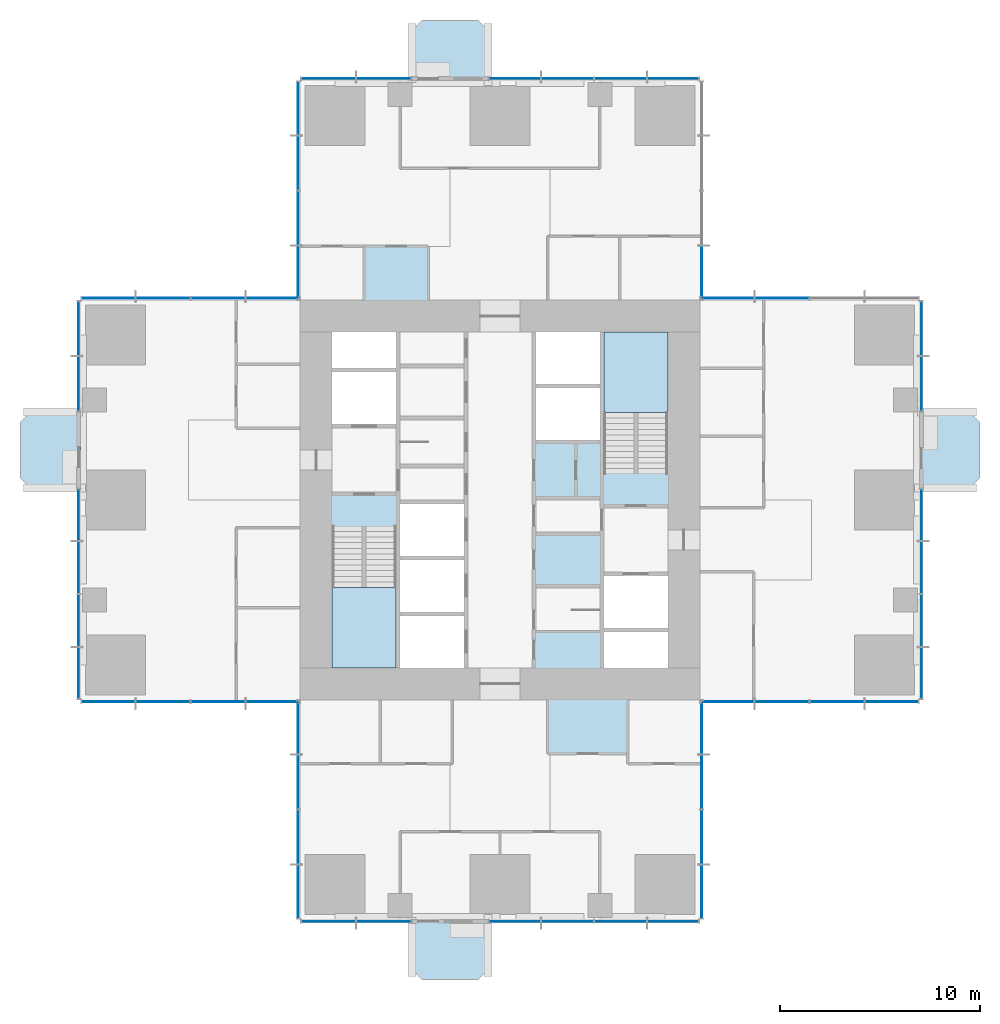
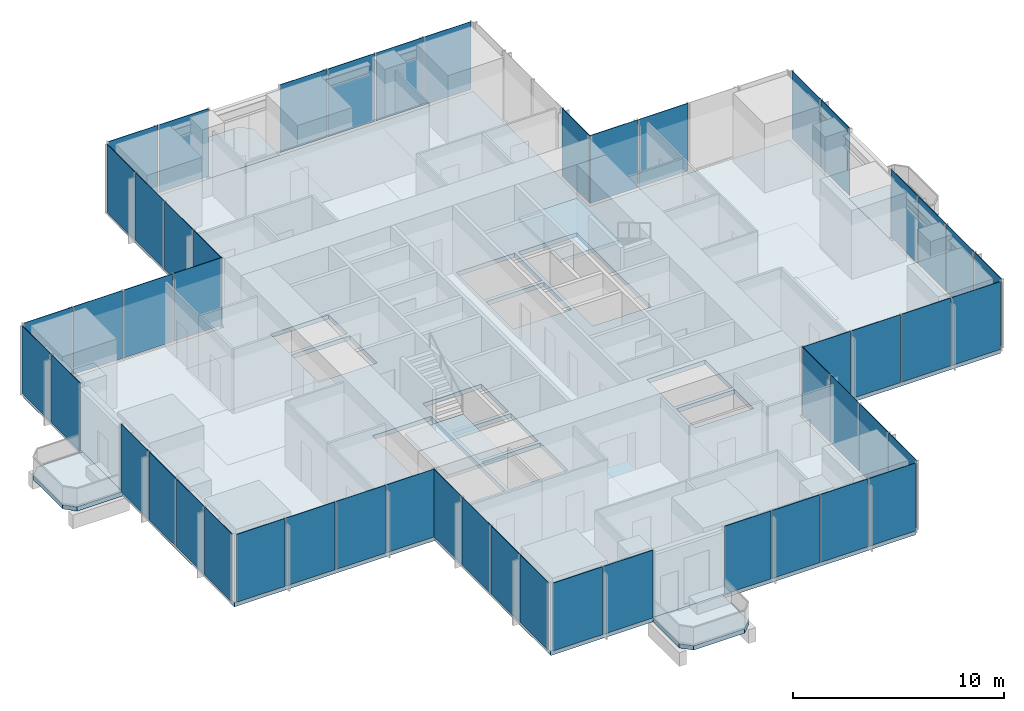
# One storey, part 7 of 13: 51 plates, 7 slabs, 18 elements without a shape of their own.
"""IFC4 building model written with IfcOpenShell, lengths in metres."""

import ifcopenshell
import ifcopenshell.guid

model = None  # the IFC model being written
_history = None  # IfcOwnerHistory: only IFC2X3 demands one
_inside = {}  # id of a spatial element -> (the spatial element, [elements in it])
_under = {}  # id of a project, library or spatial element -> (it, [spatial elements below it])
_declared = {}  # id of a project -> (the project, [libraries it declares])
_typed = {}  # id of a type object -> (the type object, [elements of that type])
_made_of = {}  # id of a material, layer set ... -> (it, [elements and type objects made of it])


def new_model(schema):
    """Start an empty IFC model of exactly this schema.

    Asked for "IFC4X3", IfcOpenShell would pick the latest addendum, in which some entities
    have other attributes; the version numbers below select the first issue.
    IFC2X3 requires an IfcOwnerHistory on every rooted entity: one is made here for all.
    """
    global model, _history
    if schema == "IFC4X3":
        model = ifcopenshell.file(schema_version=(4, 3, 0, 0))
    else:
        model = ifcopenshell.file(schema=schema)
    _inside.clear()
    _under.clear()
    _declared.clear()
    _typed.clear()
    _made_of.clear()
    _history = None
    if model.schema == "IFC2X3":
        org = make("IfcOrganization", Name="unknown")
        user = make(
            "IfcPersonAndOrganization",
            ThePerson=make("IfcPerson", FamilyName="unknown"),
            TheOrganization=org,
        )
        app = make(
            "IfcApplication",
            ApplicationDeveloper=org,
            Version="unknown",
            ApplicationFullName="unknown",
            ApplicationIdentifier="unknown",
        )
        _history = make(
            "IfcOwnerHistory",
            OwningUser=user,
            OwningApplication=app,
            ChangeAction="ADDED",
            CreationDate=0,
        )
    return model


def make(cls, **values):
    """One entity of the class cls with the attributes given. An attribute that is None is left unset."""
    return model.create_entity(
        cls, **{name: value for name, value in values.items() if value is not None}
    )


def rooted(cls, **values):
    """An entity with a GlobalId (a new one), such as an element, a storey or a relation."""
    return make(cls, GlobalId=ifcopenshell.guid.new(), OwnerHistory=_history, **values)


def si_unit(unit_type, name, prefix=None):
    """IfcSIUnit, for example si_unit("LENGTHUNIT", "METRE", prefix="MILLI")."""
    return make("IfcSIUnit", UnitType=unit_type, Prefix=prefix, Name=name)


def assignment(units):
    """IfcUnitAssignment: the units of a project."""
    return None if units is None else make("IfcUnitAssignment", Units=units)


def point(xyz):
    """IfcCartesianPoint."""
    return None if xyz is None else make("IfcCartesianPoint", Coordinates=xyz)


def direction(xyz):
    """IfcDirection."""
    return None if xyz is None else make("IfcDirection", DirectionRatios=xyz)


def frame(location, z_axis=None, x_axis=None):
    """IfcAxis2Placement3D, a coordinate frame: its origin and axes. An axis left out is left unset."""
    return make(
        "IfcAxis2Placement3D",
        Location=point(location),
        Axis=direction(z_axis),
        RefDirection=direction(x_axis),
    )


def frame_2d(location, x_axis=None):
    """IfcAxis2Placement2D, a coordinate frame in the plane: its origin and x axis."""
    return make(
        "IfcAxis2Placement2D", Location=point(location), RefDirection=direction(x_axis)
    )


def origin():
    """The frame at (0, 0, 0) with its axes left unset."""
    return frame((0.0, 0.0, 0.0))


def origin_2d():
    """The frame at (0, 0) in the plane with its x axis left unset."""
    return frame_2d((0.0, 0.0))


def place(relative_to, where):
    """IfcLocalPlacement: puts the frame where relative to a parent placement (None: the world)."""
    return make(
        "IfcLocalPlacement", PlacementRelTo=relative_to, RelativePlacement=where
    )


def context(
    kind, dimensions, precision=None, world=None, true_north=None, identifier=None
):
    """IfcGeometricRepresentationContext, for example the 3D "Model" context."""
    return make(
        "IfcGeometricRepresentationContext",
        ContextIdentifier=identifier,
        ContextType=kind,
        CoordinateSpaceDimension=dimensions,
        Precision=precision,
        WorldCoordinateSystem=world,
        TrueNorth=true_north,
    )


def subcontext(parent, identifier, kind, view, scale=None):
    """IfcGeometricRepresentationSubContext, for example "Body" below "Model"."""
    return make(
        "IfcGeometricRepresentationSubContext",
        ContextIdentifier=identifier,
        ContextType=kind,
        ParentContext=parent,
        TargetScale=scale,
        TargetView=view,
    )


def project(units=None, contexts=None):
    """IfcProject with its units and contexts."""
    return rooted(
        "IfcProject",
        Name="project",
        RepresentationContexts=contexts,
        UnitsInContext=assignment(units),
    )


def spatial(cls, under=None, at=None, **own):
    """A site, building, storey or space (cls), placed at a placement, below another one or the project."""
    s = rooted(cls, ObjectPlacement=at, **own)
    if under is not None:
        _under.setdefault(under.id(), (under, []))[1].append(s)
    return s


def polyline(points):
    """IfcPolyline through the points."""
    return make("IfcPolyline", Points=[point(p) for p in points])


def profile(cls, at=None, kind="AREA", **sizes):
    """A parametric profile (cls). Its sizes go by their IFC names, for example OverallWidth=200.0."""
    return make(cls, ProfileType=kind, Position=at, **sizes)


def rectangle(**sizes):
    """IfcRectangleProfileDef."""
    return profile("IfcRectangleProfileDef", **sizes)


def outline(outer, holes=None, kind="AREA"):
    """IfcArbitraryClosedProfileDef: a profile drawn as a closed curve; with holes, ...WithVoids."""
    if holes is None:
        return make("IfcArbitraryClosedProfileDef", ProfileType=kind, OuterCurve=outer)
    return make(
        "IfcArbitraryProfileDefWithVoids",
        ProfileType=kind,
        OuterCurve=outer,
        InnerCurves=holes,
    )


def extrude(swept, where, along, depth):
    """IfcExtrudedAreaSolid: the profile swept, set in the frame where, extruded along a direction by depth."""
    return make(
        "IfcExtrudedAreaSolid",
        SweptArea=swept,
        Position=where,
        ExtrudedDirection=direction(along),
        Depth=depth,
    )


def shape(context_of_items, identifier, shape_type, items):
    """IfcShapeRepresentation: the items that make up one representation, for example the "Body"."""
    return make(
        "IfcShapeRepresentation",
        ContextOfItems=context_of_items,
        RepresentationIdentifier=identifier,
        RepresentationType=shape_type,
        Items=items,
    )


def material(Name=None, Category=None):
    """IfcMaterial."""
    return make("IfcMaterial", Name=Name, Category=Category)


def layer(
    of_material, thickness, ventilated=None, Name=None, Category=None, Priority=None
):
    """IfcMaterialLayer: one layer of a wall or slab, of a material (None: an air gap)."""
    return make(
        "IfcMaterialLayer",
        Material=of_material,
        LayerThickness=thickness,
        IsVentilated=ventilated,
        Name=Name,
        Category=Category,
        Priority=Priority,
    )


def layer_set(layers, Name=None):
    """IfcMaterialLayerSet."""
    return make("IfcMaterialLayerSet", MaterialLayers=layers, LayerSetName=Name)


def made_of(thing, what):
    """Note that an element or type object is made of a material, layer set ...; save() writes the relation."""
    if what is not None:
        _made_of.setdefault(what.id(), (what, []))[1].append(thing)
    return thing


def type_object(cls, material=None, **own):
    """A type object (cls), such as IfcWallType, which elements share."""
    return made_of(rooted(cls, **own), material)


def element(
    cls,
    number,
    at=None,
    inside=None,
    cuts=None,
    type_object=None,
    material=None,
    context=None,
    identifier="Body",
    shape_type=None,
    held_by="IfcProductDefinitionShape",
    body=None,
    shapes=None,
    **own,
):
    """One element of the class cls, such as IfcWall. Its Tag is "e" and its number.

    at: its placement. inside: the storey or other place that contains it. cuts: it is an
    opening in that element (IfcRelVoidsElement). A single representation is given by context,
    identifier, shape_type and body (its items); several are given by shapes. held_by: the class
    of the entity that holds the representations. save() writes the other relations.
    """
    e = rooted(cls, Tag="e%d" % number, ObjectPlacement=at, **own)
    if body is not None:
        shapes = [shape(context, identifier, shape_type, body)]
    if shapes is not None:
        e.Representation = make(held_by, Representations=shapes)
    if inside is not None:
        _inside.setdefault(inside.id(), (inside, []))[1].append(e)
    if cuts is not None:
        rooted(
            "IfcRelVoidsElement", RelatingBuildingElement=cuts, RelatedOpeningElement=e
        )
    if type_object is not None:
        _typed.setdefault(type_object.id(), (type_object, []))[1].append(e)
    return made_of(e, material)


def aggregate(whole, parts):
    """IfcRelAggregates: a whole, such as a stair, and the parts it consists of."""
    return rooted("IfcRelAggregates", RelatingObject=whole, RelatedObjects=parts)


def save(model, path):
    """Write the relations noted so far, then the file.

    IfcRelAggregates (storeys below a building ...), IfcRelContainedInSpatialStructure (elements
    in a storey), IfcRelDefinesByType, IfcRelAssociatesMaterial and IfcRelDeclares: one each for
    every whole, place, type object, material and project.
    """
    for whole, parts in _under.values():
        aggregate(whole, parts)
    for where, things in _inside.values():
        rooted(
            "IfcRelContainedInSpatialStructure",
            RelatedElements=things,
            RelatingStructure=where,
        )
    for kind, things in _typed.values():
        rooted("IfcRelDefinesByType", RelatedObjects=things, RelatingType=kind)
    for what, things in _made_of.values():
        rooted("IfcRelAssociatesMaterial", RelatedObjects=things, RelatingMaterial=what)
    for by, libraries in _declared.values():
        rooted("IfcRelDeclares", RelatingContext=by, RelatedDefinitions=libraries)
    model.write(path)


model = new_model("IFC4")

# Units and contexts
model_context = context("Model", 3, precision=1e-05, world=origin(), true_north=direction((0.0, 1.0)))
body_context = subcontext(model_context, "Body", "Model", "MODEL_VIEW")
ifc_project = project(units=[si_unit("LENGTHUNIT", "METRE"), si_unit("AREAUNIT", "SQUARE_METRE"), si_unit("VOLUMEUNIT", "CUBIC_METRE"), si_unit("PLANEANGLEUNIT", "RADIAN"), si_unit("MASSUNIT", "GRAM", prefix="KILO")], contexts=[model_context])

# Site, building, storey
site_placement = place(None, origin())
site = spatial("IfcSite", under=ifc_project, at=site_placement, CompositionType="ELEMENT")
building_placement = place(site_placement, origin())
building = spatial("IfcBuilding", under=site, at=building_placement, Name="Svetlomir Tower", CompositionType="ELEMENT")
storey_placement = place(building_placement, frame((0.0, 0.0, 124.5)))
storey = spatial("IfcBuildingStorey", under=building, at=storey_placement, Name="L29", CompositionType="ELEMENT", Elevation=124.5)

# Slabs
ifc_material_1 = material(Name="Concrete C60/75", Category="concrete")
ifc_layer_1 = layer(ifc_material_1, 0.25)
ifc_layer_set_1 = layer_set([ifc_layer_1], Name="Concrete C60/75")
slab_type_1 = type_object("IfcSlabType", Name="BALCONY SLAB 250", PredefinedType="FLOOR", material=ifc_layer_set_1)
slab_1_placement = place(storey_placement, frame((0.0, 0.0, -0.25)))
element("IfcSlab", 1, at=slab_1_placement, inside=storey, type_object=slab_type_1, Name="L29 S planted balcony", PredefinedType="FLOOR", context=body_context, shape_type="SweptSolid", body=[
    extrude(outline(polyline([(16.60009765625, -2.5), (17.10009765625, -3.0), (19.89990234375, -3.0), (20.39990234375, -2.5), (20.39990234375, 0.0), (16.60009765625, 0.0), (16.60009765625, -2.5)])), origin(), (0.0, 0.0, 1.0), 0.25),
])
slab_2_placement = place(storey_placement, frame((0.0, 0.0, -0.25)))
element("IfcSlab", 2, at=slab_2_placement, inside=storey, type_object=slab_type_1, Name="L29 E planted balcony", PredefinedType="FLOOR", context=body_context, shape_type="SweptSolid", body=[
    extrude(outline(polyline([(42.0, 21.60009765625), (44.5, 21.60009765625), (45.0, 22.10009765625), (45.0, 24.89990234375), (44.5, 25.39990234375), (42.0, 25.39990234375), (42.0, 21.60009765625)])), origin(), (0.0, 0.0, 1.0), 0.25),
])
slab_3_placement = place(storey_placement, frame((0.0, 0.0, -0.25)))
element("IfcSlab", 3, at=slab_3_placement, inside=storey, type_object=slab_type_1, Name="L29 N planted balcony", PredefinedType="FLOOR", context=body_context, shape_type="SweptSolid", body=[
    extrude(outline(polyline([(16.60009765625, 42.0), (20.39990234375, 42.0), (20.39990234375, 44.5), (19.89990234375, 45.0), (17.10009765625, 45.0), (16.60009765625, 44.5), (16.60009765625, 42.0)])), origin(), (0.0, 0.0, 1.0), 0.25),
])
slab_4_placement = place(storey_placement, frame((0.0, 0.0, -0.25)))
element("IfcSlab", 4, at=slab_4_placement, inside=storey, type_object=slab_type_1, Name="L29 W planted balcony", PredefinedType="FLOOR", context=body_context, shape_type="SweptSolid", body=[
    extrude(outline(polyline([(-2.5, 21.60009765625), (0.0, 21.60009765625), (0.0, 25.39990234375), (-2.5, 25.39990234375), (-3.0, 24.89990234375), (-3.0, 22.10009765625), (-2.5, 21.60009765625)])), origin(), (0.0, 0.0, 1.0), 0.25),
])

# Curtain wall, plates
ifc_material_2 = material(Name="Bronze anodised aluminium curtain wall", Category="aluminium")
curtain_wall_type = type_object("IfcCurtainWallType", Name="CURTAIN WALL CW1 TOWER OFFICE", PredefinedType="NOTDEFINED", material=ifc_material_2)
curtain_wall_1_placement = place(storey_placement, origin())
curtain_wall_1 = element("IfcCurtainWall", 5, at=curtain_wall_1_placement, inside=storey, type_object=curtain_wall_type, Name="Curtain wall CW1 L29", PredefinedType="NOTDEFINED")
ifc_material_3 = material(Name="Tinted double glazed unit", Category="glass")
ifc_layer_2 = layer(ifc_material_3, 0.031982421875)
ifc_layer_set_2 = layer_set([ifc_layer_2], Name="Tinted double glazed unit")
plate_type = type_object("IfcPlateType", Name="CW1 GLAZED PANEL 32", PredefinedType="CURTAIN_PANEL", material=ifc_layer_set_2)
plate_1_placement = place(storey_placement, frame((12.416259765625, -0.10009765625, 0.06494140625), z_axis=(0.0, 0.0, 1.0), x_axis=(1.0, 0.0, 0.0)))
plate_1 = element("IfcPlate", 6, at=plate_1_placement, type_object=plate_type, Name="CW1 panel 1.1", PredefinedType="CURTAIN_PANEL", context=body_context, shape_type="SweptSolid", body=[
    extrude(rectangle(XDim=2.702392578125, YDim=0.031982421875, at=origin_2d()), origin(), (0.0, 0.0, 1.0), 3.93505859375),
])
plate_2_placement = place(storey_placement, frame((15.183837890625, -0.10009765625, 0.06494140625), z_axis=(0.0, 0.0, 1.0), x_axis=(1.0, 0.0, 0.0)))
plate_2 = element("IfcPlate", 7, at=plate_2_placement, type_object=plate_type, Name="CW1 panel 2.1", PredefinedType="CURTAIN_PANEL", context=body_context, shape_type="SweptSolid", body=[
    extrude(rectangle(XDim=2.702392578125, YDim=0.031982421875, at=origin_2d()), origin(), (0.0, 0.0, 1.0), 3.93505859375),
])
aggregate(curtain_wall_1, [plate_1, plate_2])

curtain_wall_2_placement = place(storey_placement, origin())
curtain_wall_2 = element("IfcCurtainWall", 8, at=curtain_wall_2_placement, inside=storey, type_object=curtain_wall_type, Name="Curtain wall CW1 L29", PredefinedType="NOTDEFINED")
plate_3_placement = place(storey_placement, frame((21.7412109375, -0.10009765625, 0.06494140625), z_axis=(0.0, 0.0, 1.0), x_axis=(1.0, 0.0, 0.0)))
plate_3 = element("IfcPlate", 9, at=plate_3_placement, type_object=plate_type, Name="CW1 panel 1.1", PredefinedType="CURTAIN_PANEL", context=body_context, shape_type="SweptSolid", body=[
    extrude(rectangle(XDim=2.552490234375, YDim=0.031982421875, at=origin_2d()), origin(), (0.0, 0.0, 1.0), 3.93505859375),
])
plate_4_placement = place(storey_placement, frame((24.375, -0.10009765625, 0.06494140625), z_axis=(0.0, 0.0, 1.0), x_axis=(1.0, 0.0, 0.0)))
plate_4 = element("IfcPlate", 10, at=plate_4_placement, type_object=plate_type, Name="CW1 panel 2.1", PredefinedType="CURTAIN_PANEL", context=body_context, shape_type="SweptSolid", body=[
    extrude(rectangle(XDim=2.5849609375, YDim=0.031982421875, at=origin_2d()), origin(), (0.0, 0.0, 1.0), 3.93505859375),
])
plate_5_placement = place(storey_placement, frame((27.02490234375, -0.10009765625, 0.06494140625), z_axis=(0.0, 0.0, 1.0), x_axis=(1.0, 0.0, 0.0)))
plate_5 = element("IfcPlate", 11, at=plate_5_placement, type_object=plate_type, Name="CW1 panel 3.1", PredefinedType="CURTAIN_PANEL", context=body_context, shape_type="SweptSolid", body=[
    extrude(rectangle(XDim=2.5849609375, YDim=0.031982421875, at=origin_2d()), origin(), (0.0, 0.0, 1.0), 3.93505859375),
])
plate_6_placement = place(storey_placement, frame((29.65869140625, -0.10009765625, 0.06494140625), z_axis=(0.0, 0.0, 1.0), x_axis=(1.0, 0.0, 0.0)))
plate_6 = element("IfcPlate", 12, at=plate_6_placement, type_object=plate_type, Name="CW1 panel 4.1", PredefinedType="CURTAIN_PANEL", context=body_context, shape_type="SweptSolid", body=[
    extrude(rectangle(XDim=2.552490234375, YDim=0.031982421875, at=origin_2d()), origin(), (0.0, 0.0, 1.0), 3.93505859375),
])
aggregate(curtain_wall_2, [plate_3, plate_4, plate_5, plate_6])

curtain_wall_3_placement = place(storey_placement, origin())
curtain_wall_3 = element("IfcCurtainWall", 13, at=curtain_wall_3_placement, inside=storey, type_object=curtain_wall_type, Name="Curtain wall CW1 L29", PredefinedType="NOTDEFINED")
plate_7_placement = place(storey_placement, frame((31.10009765625, 1.391357421875, 0.06494140625), z_axis=(0.0, 0.0, 1.0), x_axis=(0.0, 1.0, 0.0)))
plate_7 = element("IfcPlate", 14, at=plate_7_placement, type_object=plate_type, Name="CW1 panel 1.1", PredefinedType="CURTAIN_PANEL", context=body_context, shape_type="SweptSolid", body=[
    extrude(rectangle(XDim=2.652587890625, YDim=0.031982421875, at=origin_2d()), origin(), (0.0, 0.0, 1.0), 3.93505859375),
])
plate_8_placement = place(storey_placement, frame((31.10009765625, 4.125, 0.06494140625), z_axis=(0.0, 0.0, 1.0), x_axis=(0.0, 1.0, 0.0)))
plate_8 = element("IfcPlate", 15, at=plate_8_placement, type_object=plate_type, Name="CW1 panel 2.1", PredefinedType="CURTAIN_PANEL", context=body_context, shape_type="SweptSolid", body=[
    extrude(rectangle(XDim=2.68505859375, YDim=0.031982421875, at=origin_2d()), origin(), (0.0, 0.0, 1.0), 3.93505859375),
])
plate_9_placement = place(storey_placement, frame((31.10009765625, 6.875, 0.06494140625), z_axis=(0.0, 0.0, 1.0), x_axis=(0.0, 1.0, 0.0)))
plate_9 = element("IfcPlate", 16, at=plate_9_placement, type_object=plate_type, Name="CW1 panel 3.1", PredefinedType="CURTAIN_PANEL", context=body_context, shape_type="SweptSolid", body=[
    extrude(rectangle(XDim=2.68505859375, YDim=0.031982421875, at=origin_2d()), origin(), (0.0, 0.0, 1.0), 3.93505859375),
])
plate_10_placement = place(storey_placement, frame((31.10009765625, 9.608642578125, 0.06494140625), z_axis=(0.0, 0.0, 1.0), x_axis=(0.0, 1.0, 0.0)))
plate_10 = element("IfcPlate", 17, at=plate_10_placement, type_object=plate_type, Name="CW1 panel 4.1", PredefinedType="CURTAIN_PANEL", context=body_context, shape_type="SweptSolid", body=[
    extrude(rectangle(XDim=2.652587890625, YDim=0.031982421875, at=origin_2d()), origin(), (0.0, 0.0, 1.0), 3.93505859375),
])
aggregate(curtain_wall_3, [plate_7, plate_8, plate_9, plate_10])

curtain_wall_4_placement = place(storey_placement, origin())
curtain_wall_4 = element("IfcCurtainWall", 18, at=curtain_wall_4_placement, inside=storey, type_object=curtain_wall_type, Name="Curtain wall CW1 L29", PredefinedType="NOTDEFINED")
plate_11_placement = place(storey_placement, frame((32.391357421875, 10.89990234375, 0.06494140625), z_axis=(0.0, 0.0, 1.0), x_axis=(1.0, 0.0, 0.0)))
plate_11 = element("IfcPlate", 19, at=plate_11_placement, type_object=plate_type, Name="CW1 panel 1.1", PredefinedType="CURTAIN_PANEL", context=body_context, shape_type="SweptSolid", body=[
    extrude(rectangle(XDim=2.652587890625, YDim=0.031982421875, at=origin_2d()), origin(), (0.0, 0.0, 1.0), 3.93505859375),
])
plate_12_placement = place(storey_placement, frame((35.125, 10.89990234375, 0.06494140625), z_axis=(0.0, 0.0, 1.0), x_axis=(1.0, 0.0, 0.0)))
plate_12 = element("IfcPlate", 20, at=plate_12_placement, type_object=plate_type, Name="CW1 panel 2.1", PredefinedType="CURTAIN_PANEL", context=body_context, shape_type="SweptSolid", body=[
    extrude(rectangle(XDim=2.68505859375, YDim=0.031982421875, at=origin_2d()), origin(), (0.0, 0.0, 1.0), 3.93505859375),
])
plate_13_placement = place(storey_placement, frame((37.875, 10.89990234375, 0.06494140625), z_axis=(0.0, 0.0, 1.0), x_axis=(1.0, 0.0, 0.0)))
plate_13 = element("IfcPlate", 21, at=plate_13_placement, type_object=plate_type, Name="CW1 panel 3.1", PredefinedType="CURTAIN_PANEL", context=body_context, shape_type="SweptSolid", body=[
    extrude(rectangle(XDim=2.68505859375, YDim=0.031982421875, at=origin_2d()), origin(), (0.0, 0.0, 1.0), 3.93505859375),
])
plate_14_placement = place(storey_placement, frame((40.608642578125, 10.89990234375, 0.06494140625), z_axis=(0.0, 0.0, 1.0), x_axis=(1.0, 0.0, 0.0)))
plate_14 = element("IfcPlate", 22, at=plate_14_placement, type_object=plate_type, Name="CW1 panel 4.1", PredefinedType="CURTAIN_PANEL", context=body_context, shape_type="SweptSolid", body=[
    extrude(rectangle(XDim=2.652587890625, YDim=0.031982421875, at=origin_2d()), origin(), (0.0, 0.0, 1.0), 3.93505859375),
])
aggregate(curtain_wall_4, [plate_11, plate_12, plate_13, plate_14])

curtain_wall_5_placement = place(storey_placement, origin())
curtain_wall_5 = element("IfcCurtainWall", 23, at=curtain_wall_5_placement, inside=storey, type_object=curtain_wall_type, Name="Curtain wall CW1 L29", PredefinedType="NOTDEFINED")
plate_15_placement = place(storey_placement, frame((42.10009765625, 12.34130859375, 0.06494140625), z_axis=(0.0, 0.0, 1.0), x_axis=(0.0, 1.0, 0.0)))
plate_15 = element("IfcPlate", 24, at=plate_15_placement, type_object=plate_type, Name="CW1 panel 1.1", PredefinedType="CURTAIN_PANEL", context=body_context, shape_type="SweptSolid", body=[
    extrude(rectangle(XDim=2.552490234375, YDim=0.031982421875, at=origin_2d()), origin(), (0.0, 0.0, 1.0), 3.93505859375),
])
plate_16_placement = place(storey_placement, frame((42.10009765625, 14.97509765625, 0.06494140625), z_axis=(0.0, 0.0, 1.0), x_axis=(0.0, 1.0, 0.0)))
plate_16 = element("IfcPlate", 25, at=plate_16_placement, type_object=plate_type, Name="CW1 panel 2.1", PredefinedType="CURTAIN_PANEL", context=body_context, shape_type="SweptSolid", body=[
    extrude(rectangle(XDim=2.5849609375, YDim=0.031982421875, at=origin_2d()), origin(), (0.0, 0.0, 1.0), 3.93505859375),
])
plate_17_placement = place(storey_placement, frame((42.10009765625, 17.625, 0.06494140625), z_axis=(0.0, 0.0, 1.0), x_axis=(0.0, 1.0, 0.0)))
plate_17 = element("IfcPlate", 26, at=plate_17_placement, type_object=plate_type, Name="CW1 panel 3.1", PredefinedType="CURTAIN_PANEL", context=body_context, shape_type="SweptSolid", body=[
    extrude(rectangle(XDim=2.5849609375, YDim=0.031982421875, at=origin_2d()), origin(), (0.0, 0.0, 1.0), 3.93505859375),
])
plate_18_placement = place(storey_placement, frame((42.10009765625, 20.2587890625, 0.06494140625), z_axis=(0.0, 0.0, 1.0), x_axis=(0.0, 1.0, 0.0)))
plate_18 = element("IfcPlate", 27, at=plate_18_placement, type_object=plate_type, Name="CW1 panel 4.1", PredefinedType="CURTAIN_PANEL", context=body_context, shape_type="SweptSolid", body=[
    extrude(rectangle(XDim=2.552490234375, YDim=0.031982421875, at=origin_2d()), origin(), (0.0, 0.0, 1.0), 3.93505859375),
])
aggregate(curtain_wall_5, [plate_15, plate_16, plate_17, plate_18])

curtain_wall_6_placement = place(storey_placement, origin())
curtain_wall_6 = element("IfcCurtainWall", 28, at=curtain_wall_6_placement, inside=storey, type_object=curtain_wall_type, Name="Curtain wall CW1 L29", PredefinedType="NOTDEFINED")
plate_19_placement = place(storey_placement, frame((42.10009765625, 26.816162109375, 0.06494140625), z_axis=(0.0, 0.0, 1.0), x_axis=(0.0, 1.0, 0.0)))
plate_19 = element("IfcPlate", 29, at=plate_19_placement, type_object=plate_type, Name="CW1 panel 1.1", PredefinedType="CURTAIN_PANEL", context=body_context, shape_type="SweptSolid", body=[
    extrude(rectangle(XDim=2.702392578125, YDim=0.031982421875, at=origin_2d()), origin(), (0.0, 0.0, 1.0), 3.93505859375),
])
plate_20_placement = place(storey_placement, frame((42.10009765625, 29.583740234375, 0.06494140625), z_axis=(0.0, 0.0, 1.0), x_axis=(0.0, 1.0, 0.0)))
plate_20 = element("IfcPlate", 30, at=plate_20_placement, type_object=plate_type, Name="CW1 panel 2.1", PredefinedType="CURTAIN_PANEL", context=body_context, shape_type="SweptSolid", body=[
    extrude(rectangle(XDim=2.702392578125, YDim=0.031982421875, at=origin_2d()), origin(), (0.0, 0.0, 1.0), 3.93505859375),
])
aggregate(curtain_wall_6, [plate_19, plate_20])

curtain_wall_7_placement = place(storey_placement, origin())
curtain_wall_7 = element("IfcCurtainWall", 31, at=curtain_wall_7_placement, inside=storey, type_object=curtain_wall_type, Name="Curtain wall CW1 L29", PredefinedType="NOTDEFINED")
plate_21_placement = place(storey_placement, frame((35.125, 31.10009765625, 0.06494140625), z_axis=(0.0, 0.0, 1.0), x_axis=(-1.0, 0.0, 0.0)))
plate_21 = element("IfcPlate", 32, at=plate_21_placement, type_object=plate_type, Name="CW1 panel 3.1", PredefinedType="CURTAIN_PANEL", context=body_context, shape_type="SweptSolid", body=[
    extrude(rectangle(XDim=2.68505859375, YDim=0.031982421875, at=origin_2d()), origin(), (0.0, 0.0, 1.0), 3.93505859375),
])
plate_22_placement = place(storey_placement, frame((32.391357421875, 31.10009765625, 0.06494140625), z_axis=(0.0, 0.0, 1.0), x_axis=(-1.0, 0.0, 0.0)))
plate_22 = element("IfcPlate", 33, at=plate_22_placement, type_object=plate_type, Name="CW1 panel 4.1", PredefinedType="CURTAIN_PANEL", context=body_context, shape_type="SweptSolid", body=[
    extrude(rectangle(XDim=2.652587890625, YDim=0.031982421875, at=origin_2d()), origin(), (0.0, 0.0, 1.0), 3.93505859375),
])
aggregate(curtain_wall_7, [plate_21, plate_22])

# Curtain wall, plate
curtain_wall_8_placement = place(storey_placement, origin())
curtain_wall_8 = element("IfcCurtainWall", 34, at=curtain_wall_8_placement, inside=storey, type_object=curtain_wall_type, Name="Curtain wall CW1 L29", PredefinedType="NOTDEFINED")
plate_23_placement = place(storey_placement, frame((31.10009765625, 32.391357421875, 0.06494140625), z_axis=(0.0, 0.0, 1.0), x_axis=(0.0, 1.0, 0.0)))
plate_23 = element("IfcPlate", 35, at=plate_23_placement, type_object=plate_type, Name="CW1 panel 1.1", PredefinedType="CURTAIN_PANEL", context=body_context, shape_type="SweptSolid", body=[
    extrude(rectangle(XDim=2.652587890625, YDim=0.031982421875, at=origin_2d()), origin(), (0.0, 0.0, 1.0), 3.93505859375),
])
aggregate(curtain_wall_8, [plate_23])

# Curtain wall, plates
curtain_wall_9_placement = place(storey_placement, origin())
curtain_wall_9 = element("IfcCurtainWall", 36, at=curtain_wall_9_placement, inside=storey, type_object=curtain_wall_type, Name="Curtain wall CW1 L29", PredefinedType="NOTDEFINED")
plate_24_placement = place(storey_placement, frame((29.65869140625, 42.10009765625, 0.06494140625), z_axis=(0.0, 0.0, 1.0), x_axis=(-1.0, 0.0, 0.0)))
plate_24 = element("IfcPlate", 37, at=plate_24_placement, type_object=plate_type, Name="CW1 panel 1.1", PredefinedType="CURTAIN_PANEL", context=body_context, shape_type="SweptSolid", body=[
    extrude(rectangle(XDim=2.552490234375, YDim=0.031982421875, at=origin_2d()), origin(), (0.0, 0.0, 1.0), 3.93505859375),
])
plate_25_placement = place(storey_placement, frame((27.02490234375, 42.10009765625, 0.06494140625), z_axis=(0.0, 0.0, 1.0), x_axis=(-1.0, 0.0, 0.0)))
plate_25 = element("IfcPlate", 38, at=plate_25_placement, type_object=plate_type, Name="CW1 panel 2.1", PredefinedType="CURTAIN_PANEL", context=body_context, shape_type="SweptSolid", body=[
    extrude(rectangle(XDim=2.5849609375, YDim=0.031982421875, at=origin_2d()), origin(), (0.0, 0.0, 1.0), 3.93505859375),
])
plate_26_placement = place(storey_placement, frame((24.375, 42.10009765625, 0.06494140625), z_axis=(0.0, 0.0, 1.0), x_axis=(-1.0, 0.0, 0.0)))
plate_26 = element("IfcPlate", 39, at=plate_26_placement, type_object=plate_type, Name="CW1 panel 3.1", PredefinedType="CURTAIN_PANEL", context=body_context, shape_type="SweptSolid", body=[
    extrude(rectangle(XDim=2.5849609375, YDim=0.031982421875, at=origin_2d()), origin(), (0.0, 0.0, 1.0), 3.93505859375),
])
plate_27_placement = place(storey_placement, frame((21.7412109375, 42.10009765625, 0.06494140625), z_axis=(0.0, 0.0, 1.0), x_axis=(-1.0, 0.0, 0.0)))
plate_27 = element("IfcPlate", 40, at=plate_27_placement, type_object=plate_type, Name="CW1 panel 4.1", PredefinedType="CURTAIN_PANEL", context=body_context, shape_type="SweptSolid", body=[
    extrude(rectangle(XDim=2.552490234375, YDim=0.031982421875, at=origin_2d()), origin(), (0.0, 0.0, 1.0), 3.93505859375),
])
aggregate(curtain_wall_9, [plate_24, plate_25, plate_26, plate_27])

curtain_wall_10_placement = place(storey_placement, origin())
curtain_wall_10 = element("IfcCurtainWall", 41, at=curtain_wall_10_placement, inside=storey, type_object=curtain_wall_type, Name="Curtain wall CW1 L29", PredefinedType="NOTDEFINED")
plate_28_placement = place(storey_placement, frame((15.183837890625, 42.10009765625, 0.06494140625), z_axis=(0.0, 0.0, 1.0), x_axis=(-1.0, 0.0, 0.0)))
plate_28 = element("IfcPlate", 42, at=plate_28_placement, type_object=plate_type, Name="CW1 panel 1.1", PredefinedType="CURTAIN_PANEL", context=body_context, shape_type="SweptSolid", body=[
    extrude(rectangle(XDim=2.702392578125, YDim=0.031982421875, at=origin_2d()), origin(), (0.0, 0.0, 1.0), 3.93505859375),
])
plate_29_placement = place(storey_placement, frame((12.416259765625, 42.10009765625, 0.06494140625), z_axis=(0.0, 0.0, 1.0), x_axis=(-1.0, 0.0, 0.0)))
plate_29 = element("IfcPlate", 43, at=plate_29_placement, type_object=plate_type, Name="CW1 panel 2.1", PredefinedType="CURTAIN_PANEL", context=body_context, shape_type="SweptSolid", body=[
    extrude(rectangle(XDim=2.702392578125, YDim=0.031982421875, at=origin_2d()), origin(), (0.0, 0.0, 1.0), 3.93505859375),
])
aggregate(curtain_wall_10, [plate_28, plate_29])

curtain_wall_11_placement = place(storey_placement, origin())
curtain_wall_11 = element("IfcCurtainWall", 44, at=curtain_wall_11_placement, inside=storey, type_object=curtain_wall_type, Name="Curtain wall CW1 L29", PredefinedType="NOTDEFINED")
plate_30_placement = place(storey_placement, frame((10.89990234375, 40.608642578125, 0.06494140625), z_axis=(0.0, 0.0, 1.0), x_axis=(0.0, -1.0, 0.0)))
plate_30 = element("IfcPlate", 45, at=plate_30_placement, type_object=plate_type, Name="CW1 panel 1.1", PredefinedType="CURTAIN_PANEL", context=body_context, shape_type="SweptSolid", body=[
    extrude(rectangle(XDim=2.652587890625, YDim=0.031982421875, at=origin_2d()), origin(), (0.0, 0.0, 1.0), 3.93505859375),
])
plate_31_placement = place(storey_placement, frame((10.89990234375, 37.875, 0.06494140625), z_axis=(0.0, 0.0, 1.0), x_axis=(0.0, -1.0, 0.0)))
plate_31 = element("IfcPlate", 46, at=plate_31_placement, type_object=plate_type, Name="CW1 panel 2.1", PredefinedType="CURTAIN_PANEL", context=body_context, shape_type="SweptSolid", body=[
    extrude(rectangle(XDim=2.68505859375, YDim=0.031982421875, at=origin_2d()), origin(), (0.0, 0.0, 1.0), 3.93505859375),
])
plate_32_placement = place(storey_placement, frame((10.89990234375, 35.125, 0.06494140625), z_axis=(0.0, 0.0, 1.0), x_axis=(0.0, -1.0, 0.0)))
plate_32 = element("IfcPlate", 47, at=plate_32_placement, type_object=plate_type, Name="CW1 panel 3.1", PredefinedType="CURTAIN_PANEL", context=body_context, shape_type="SweptSolid", body=[
    extrude(rectangle(XDim=2.68505859375, YDim=0.031982421875, at=origin_2d()), origin(), (0.0, 0.0, 1.0), 3.93505859375),
])
plate_33_placement = place(storey_placement, frame((10.89990234375, 32.391357421875, 0.06494140625), z_axis=(0.0, 0.0, 1.0), x_axis=(0.0, -1.0, 0.0)))
plate_33 = element("IfcPlate", 48, at=plate_33_placement, type_object=plate_type, Name="CW1 panel 4.1", PredefinedType="CURTAIN_PANEL", context=body_context, shape_type="SweptSolid", body=[
    extrude(rectangle(XDim=2.652587890625, YDim=0.031982421875, at=origin_2d()), origin(), (0.0, 0.0, 1.0), 3.93505859375),
])
aggregate(curtain_wall_11, [plate_30, plate_31, plate_32, plate_33])

curtain_wall_12_placement = place(storey_placement, origin())
curtain_wall_12 = element("IfcCurtainWall", 49, at=curtain_wall_12_placement, inside=storey, type_object=curtain_wall_type, Name="Curtain wall CW1 L29", PredefinedType="NOTDEFINED")
plate_34_placement = place(storey_placement, frame((9.608642578125, 31.10009765625, 0.06494140625), z_axis=(0.0, 0.0, 1.0), x_axis=(-1.0, 0.0, 0.0)))
plate_34 = element("IfcPlate", 50, at=plate_34_placement, type_object=plate_type, Name="CW1 panel 1.1", PredefinedType="CURTAIN_PANEL", context=body_context, shape_type="SweptSolid", body=[
    extrude(rectangle(XDim=2.652587890625, YDim=0.031982421875, at=origin_2d()), origin(), (0.0, 0.0, 1.0), 3.93505859375),
])
plate_35_placement = place(storey_placement, frame((6.875, 31.10009765625, 0.06494140625), z_axis=(0.0, 0.0, 1.0), x_axis=(-1.0, 0.0, 0.0)))
plate_35 = element("IfcPlate", 51, at=plate_35_placement, type_object=plate_type, Name="CW1 panel 2.1", PredefinedType="CURTAIN_PANEL", context=body_context, shape_type="SweptSolid", body=[
    extrude(rectangle(XDim=2.68505859375, YDim=0.031982421875, at=origin_2d()), origin(), (0.0, 0.0, 1.0), 3.93505859375),
])
plate_36_placement = place(storey_placement, frame((4.125, 31.10009765625, 0.06494140625), z_axis=(0.0, 0.0, 1.0), x_axis=(-1.0, 0.0, 0.0)))
plate_36 = element("IfcPlate", 52, at=plate_36_placement, type_object=plate_type, Name="CW1 panel 3.1", PredefinedType="CURTAIN_PANEL", context=body_context, shape_type="SweptSolid", body=[
    extrude(rectangle(XDim=2.68505859375, YDim=0.031982421875, at=origin_2d()), origin(), (0.0, 0.0, 1.0), 3.93505859375),
])
plate_37_placement = place(storey_placement, frame((1.391357421875, 31.10009765625, 0.06494140625), z_axis=(0.0, 0.0, 1.0), x_axis=(-1.0, 0.0, 0.0)))
plate_37 = element("IfcPlate", 53, at=plate_37_placement, type_object=plate_type, Name="CW1 panel 4.1", PredefinedType="CURTAIN_PANEL", context=body_context, shape_type="SweptSolid", body=[
    extrude(rectangle(XDim=2.652587890625, YDim=0.031982421875, at=origin_2d()), origin(), (0.0, 0.0, 1.0), 3.93505859375),
])
aggregate(curtain_wall_12, [plate_34, plate_35, plate_36, plate_37])

curtain_wall_13_placement = place(storey_placement, origin())
curtain_wall_13 = element("IfcCurtainWall", 54, at=curtain_wall_13_placement, inside=storey, type_object=curtain_wall_type, Name="Curtain wall CW1 L29", PredefinedType="NOTDEFINED")
plate_38_placement = place(storey_placement, frame((-0.10009765625, 29.583740234375, 0.06494140625), z_axis=(0.0, 0.0, 1.0), x_axis=(0.0, -1.0, 0.0)))
plate_38 = element("IfcPlate", 55, at=plate_38_placement, type_object=plate_type, Name="CW1 panel 1.1", PredefinedType="CURTAIN_PANEL", context=body_context, shape_type="SweptSolid", body=[
    extrude(rectangle(XDim=2.702392578125, YDim=0.031982421875, at=origin_2d()), origin(), (0.0, 0.0, 1.0), 3.93505859375),
])
plate_39_placement = place(storey_placement, frame((-0.10009765625, 26.816162109375, 0.06494140625), z_axis=(0.0, 0.0, 1.0), x_axis=(0.0, -1.0, 0.0)))
plate_39 = element("IfcPlate", 56, at=plate_39_placement, type_object=plate_type, Name="CW1 panel 2.1", PredefinedType="CURTAIN_PANEL", context=body_context, shape_type="SweptSolid", body=[
    extrude(rectangle(XDim=2.702392578125, YDim=0.031982421875, at=origin_2d()), origin(), (0.0, 0.0, 1.0), 3.93505859375),
])
aggregate(curtain_wall_13, [plate_38, plate_39])

curtain_wall_14_placement = place(storey_placement, origin())
curtain_wall_14 = element("IfcCurtainWall", 57, at=curtain_wall_14_placement, inside=storey, type_object=curtain_wall_type, Name="Curtain wall CW1 L29", PredefinedType="NOTDEFINED")
plate_40_placement = place(storey_placement, frame((-0.10009765625, 20.2587890625, 0.06494140625), z_axis=(0.0, 0.0, 1.0), x_axis=(0.0, -1.0, 0.0)))
plate_40 = element("IfcPlate", 58, at=plate_40_placement, type_object=plate_type, Name="CW1 panel 1.1", PredefinedType="CURTAIN_PANEL", context=body_context, shape_type="SweptSolid", body=[
    extrude(rectangle(XDim=2.552490234375, YDim=0.031982421875, at=origin_2d()), origin(), (0.0, 0.0, 1.0), 3.93505859375),
])
plate_41_placement = place(storey_placement, frame((-0.10009765625, 17.625, 0.06494140625), z_axis=(0.0, 0.0, 1.0), x_axis=(0.0, -1.0, 0.0)))
plate_41 = element("IfcPlate", 59, at=plate_41_placement, type_object=plate_type, Name="CW1 panel 2.1", PredefinedType="CURTAIN_PANEL", context=body_context, shape_type="SweptSolid", body=[
    extrude(rectangle(XDim=2.5849609375, YDim=0.031982421875, at=origin_2d()), origin(), (0.0, 0.0, 1.0), 3.93505859375),
])
plate_42_placement = place(storey_placement, frame((-0.10009765625, 14.97509765625, 0.06494140625), z_axis=(0.0, 0.0, 1.0), x_axis=(0.0, -1.0, 0.0)))
plate_42 = element("IfcPlate", 60, at=plate_42_placement, type_object=plate_type, Name="CW1 panel 3.1", PredefinedType="CURTAIN_PANEL", context=body_context, shape_type="SweptSolid", body=[
    extrude(rectangle(XDim=2.5849609375, YDim=0.031982421875, at=origin_2d()), origin(), (0.0, 0.0, 1.0), 3.93505859375),
])
plate_43_placement = place(storey_placement, frame((-0.10009765625, 12.34130859375, 0.06494140625), z_axis=(0.0, 0.0, 1.0), x_axis=(0.0, -1.0, 0.0)))
plate_43 = element("IfcPlate", 61, at=plate_43_placement, type_object=plate_type, Name="CW1 panel 4.1", PredefinedType="CURTAIN_PANEL", context=body_context, shape_type="SweptSolid", body=[
    extrude(rectangle(XDim=2.552490234375, YDim=0.031982421875, at=origin_2d()), origin(), (0.0, 0.0, 1.0), 3.93505859375),
])
aggregate(curtain_wall_14, [plate_40, plate_41, plate_42, plate_43])

curtain_wall_15_placement = place(storey_placement, origin())
curtain_wall_15 = element("IfcCurtainWall", 62, at=curtain_wall_15_placement, inside=storey, type_object=curtain_wall_type, Name="Curtain wall CW1 L29", PredefinedType="NOTDEFINED")
plate_44_placement = place(storey_placement, frame((1.391357421875, 10.89990234375, 0.06494140625), z_axis=(0.0, 0.0, 1.0), x_axis=(1.0, 0.0, 0.0)))
plate_44 = element("IfcPlate", 63, at=plate_44_placement, type_object=plate_type, Name="CW1 panel 1.1", PredefinedType="CURTAIN_PANEL", context=body_context, shape_type="SweptSolid", body=[
    extrude(rectangle(XDim=2.652587890625, YDim=0.031982421875, at=origin_2d()), origin(), (0.0, 0.0, 1.0), 3.93505859375),
])
plate_45_placement = place(storey_placement, frame((4.125, 10.89990234375, 0.06494140625), z_axis=(0.0, 0.0, 1.0), x_axis=(1.0, 0.0, 0.0)))
plate_45 = element("IfcPlate", 64, at=plate_45_placement, type_object=plate_type, Name="CW1 panel 2.1", PredefinedType="CURTAIN_PANEL", context=body_context, shape_type="SweptSolid", body=[
    extrude(rectangle(XDim=2.68505859375, YDim=0.031982421875, at=origin_2d()), origin(), (0.0, 0.0, 1.0), 3.93505859375),
])
plate_46_placement = place(storey_placement, frame((6.875, 10.89990234375, 0.06494140625), z_axis=(0.0, 0.0, 1.0), x_axis=(1.0, 0.0, 0.0)))
plate_46 = element("IfcPlate", 65, at=plate_46_placement, type_object=plate_type, Name="CW1 panel 3.1", PredefinedType="CURTAIN_PANEL", context=body_context, shape_type="SweptSolid", body=[
    extrude(rectangle(XDim=2.68505859375, YDim=0.031982421875, at=origin_2d()), origin(), (0.0, 0.0, 1.0), 3.93505859375),
])
plate_47_placement = place(storey_placement, frame((9.608642578125, 10.89990234375, 0.06494140625), z_axis=(0.0, 0.0, 1.0), x_axis=(1.0, 0.0, 0.0)))
plate_47 = element("IfcPlate", 66, at=plate_47_placement, type_object=plate_type, Name="CW1 panel 4.1", PredefinedType="CURTAIN_PANEL", context=body_context, shape_type="SweptSolid", body=[
    extrude(rectangle(XDim=2.652587890625, YDim=0.031982421875, at=origin_2d()), origin(), (0.0, 0.0, 1.0), 3.93505859375),
])
aggregate(curtain_wall_15, [plate_44, plate_45, plate_46, plate_47])

curtain_wall_16_placement = place(storey_placement, origin())
curtain_wall_16 = element("IfcCurtainWall", 67, at=curtain_wall_16_placement, inside=storey, type_object=curtain_wall_type, Name="Curtain wall CW1 L29", PredefinedType="NOTDEFINED")
plate_48_placement = place(storey_placement, frame((10.89990234375, 9.608642578125, 0.06494140625), z_axis=(0.0, 0.0, 1.0), x_axis=(0.0, -1.0, 0.0)))
plate_48 = element("IfcPlate", 68, at=plate_48_placement, type_object=plate_type, Name="CW1 panel 1.1", PredefinedType="CURTAIN_PANEL", context=body_context, shape_type="SweptSolid", body=[
    extrude(rectangle(XDim=2.652587890625, YDim=0.031982421875, at=origin_2d()), origin(), (0.0, 0.0, 1.0), 3.93505859375),
])
plate_49_placement = place(storey_placement, frame((10.89990234375, 6.875, 0.06494140625), z_axis=(0.0, 0.0, 1.0), x_axis=(0.0, -1.0, 0.0)))
plate_49 = element("IfcPlate", 69, at=plate_49_placement, type_object=plate_type, Name="CW1 panel 2.1", PredefinedType="CURTAIN_PANEL", context=body_context, shape_type="SweptSolid", body=[
    extrude(rectangle(XDim=2.68505859375, YDim=0.031982421875, at=origin_2d()), origin(), (0.0, 0.0, 1.0), 3.93505859375),
])
plate_50_placement = place(storey_placement, frame((10.89990234375, 4.125, 0.06494140625), z_axis=(0.0, 0.0, 1.0), x_axis=(0.0, -1.0, 0.0)))
plate_50 = element("IfcPlate", 70, at=plate_50_placement, type_object=plate_type, Name="CW1 panel 3.1", PredefinedType="CURTAIN_PANEL", context=body_context, shape_type="SweptSolid", body=[
    extrude(rectangle(XDim=2.68505859375, YDim=0.031982421875, at=origin_2d()), origin(), (0.0, 0.0, 1.0), 3.93505859375),
])
plate_51_placement = place(storey_placement, frame((10.89990234375, 1.391357421875, 0.06494140625), z_axis=(0.0, 0.0, 1.0), x_axis=(0.0, -1.0, 0.0)))
plate_51 = element("IfcPlate", 71, at=plate_51_placement, type_object=plate_type, Name="CW1 panel 4.1", PredefinedType="CURTAIN_PANEL", context=body_context, shape_type="SweptSolid", body=[
    extrude(rectangle(XDim=2.652587890625, YDim=0.031982421875, at=origin_2d()), origin(), (0.0, 0.0, 1.0), 3.93505859375),
])
aggregate(curtain_wall_16, [plate_48, plate_49, plate_50, plate_51])

# Slab
ifc_material_4 = material(Name="Concrete C60/75", Category="concrete")
ifc_layer_3 = layer(ifc_material_4, 0.25)
ifc_layer_set_3 = layer_set([ifc_layer_3], Name="Concrete C60/75")
slab_type_2 = type_object("IfcSlabType", Name="FLOOR SLAB 250", PredefinedType="FLOOR", material=ifc_layer_set_3)
slab_5_placement = place(storey_placement, frame((0.0, 0.0, -0.25)))
element("IfcSlab", 72, at=slab_5_placement, inside=storey, type_object=slab_type_2, Name="L29 floor slab", PredefinedType="FLOOR", context=body_context, shape_type="SweptSolid", body=[
    extrude(outline(polyline([(11.0, 0.0), (31.0, 0.0), (31.0, 11.0), (42.0, 11.0), (42.0, 31.0), (31.0, 31.0), (31.0, 42.0), (11.0, 42.0), (11.0, 31.0), (0.0, 31.0), (0.0, 11.0), (11.0, 11.0), (11.0, 0.0)]), holes=[polyline([(12.60009765625, 24.800048828125), (15.800048828125, 24.800048828125), (15.800048828125, 27.39990234375), (12.60009765625, 27.39990234375), (12.60009765625, 24.800048828125)]), polyline([(26.199951171875, 14.60009765625), (29.39990234375, 14.60009765625), (29.39990234375, 17.199951171875), (26.199951171875, 17.199951171875), (26.199951171875, 14.60009765625)]), polyline([(16.0, 12.60009765625), (19.199951171875, 12.60009765625), (19.199951171875, 15.199951171875), (16.0, 15.199951171875), (16.0, 12.60009765625)]), polyline([(16.0, 15.39990234375), (19.199951171875, 15.39990234375), (19.199951171875, 18.0), (16.0, 18.0), (16.0, 15.39990234375)]), polyline([(16.0, 18.199951171875), (19.199951171875, 18.199951171875), (19.199951171875, 20.800048828125), (16.0, 20.800048828125), (16.0, 18.199951171875)]), polyline([(22.800048828125, 24.0), (26.0, 24.0), (26.0, 26.60009765625), (22.800048828125, 26.60009765625), (22.800048828125, 24.0)]), polyline([(22.800048828125, 26.800048828125), (26.0, 26.800048828125), (26.0, 29.39990234375), (22.800048828125, 29.39990234375), (22.800048828125, 26.800048828125)]), polyline([(12.60009765625, 27.60009765625), (15.800048828125, 27.60009765625), (15.800048828125, 29.39990234375), (12.60009765625, 29.39990234375), (12.60009765625, 27.60009765625)]), polyline([(26.199951171875, 12.60009765625), (29.39990234375, 12.60009765625), (29.39990234375, 14.39990234375), (26.199951171875, 14.39990234375), (26.199951171875, 12.60009765625)]), polyline([(12.60009765625, 12.60009765625), (15.800048828125, 12.60009765625), (15.800048828125, 19.679931640625), (12.60009765625, 19.679931640625), (12.60009765625, 12.60009765625)]), polyline([(26.199951171875, 22.320068359375), (29.39990234375, 22.320068359375), (29.39990234375, 29.39990234375), (26.199951171875, 29.39990234375), (26.199951171875, 22.320068359375)])]), origin(), (0.0, 0.0, 1.0), 0.25),
])

# Stair, slab
ifc_material_5 = material(Name="Concrete C60/75", Category="concrete")
stair_type = type_object("IfcStairType", Name="EXIT STAIR 3200 RISE 4000", PredefinedType="HALF_TURN_STAIR", material=ifc_material_5)
stair_1_placement = place(storey_placement, origin())
stair_1 = element("IfcStair", 73, at=stair_1_placement, inside=storey, type_object=stair_type, Name="Stair S1 L29 to L30", PredefinedType="HALF_TURN_STAIR")
ifc_material_6 = material(Name="Concrete C60/75", Category="concrete")
ifc_layer_4 = layer(ifc_material_6, 0.199951171875)
ifc_layer_set_4 = layer_set([ifc_layer_4], Name="Concrete C60/75")
slab_type_3 = type_object("IfcSlabType", Name="STAIR LANDING 200", PredefinedType="LANDING", material=ifc_layer_set_4)
slab_6_placement = place(storey_placement, frame((0.0, 0.0, 1.800048828125)))
slab_6 = element("IfcSlab", 74, at=slab_6_placement, type_object=slab_type_3, Name="S1 landing 1", PredefinedType="LANDING", context=body_context, shape_type="SweptSolid", body=[
    extrude(outline(polyline([(12.60009765625, 12.60009765625), (15.800048828125, 12.60009765625), (15.800048828125, 16.6201171875), (12.60009765625, 16.6201171875), (12.60009765625, 12.60009765625)])), origin(), (0.0, 0.0, 1.0), 0.199951171875),
])
aggregate(stair_1, [slab_6])

stair_2_placement = place(storey_placement, origin())
stair_2 = element("IfcStair", 75, at=stair_2_placement, inside=storey, type_object=stair_type, Name="Stair S2 L29 to L30", PredefinedType="HALF_TURN_STAIR")
slab_7_placement = place(storey_placement, frame((0.0, 0.0, 1.800048828125)))
slab_7 = element("IfcSlab", 76, at=slab_7_placement, type_object=slab_type_3, Name="S2 landing 1", PredefinedType="LANDING", context=body_context, shape_type="SweptSolid", body=[
    extrude(outline(polyline([(26.199951171875, 25.3798828125), (29.39990234375, 25.3798828125), (29.39990234375, 29.39990234375), (26.199951171875, 29.39990234375), (26.199951171875, 25.3798828125)])), origin(), (0.0, 0.0, 1.0), 0.199951171875),
])
aggregate(stair_2, [slab_7])

save(model, "model.ifc")
